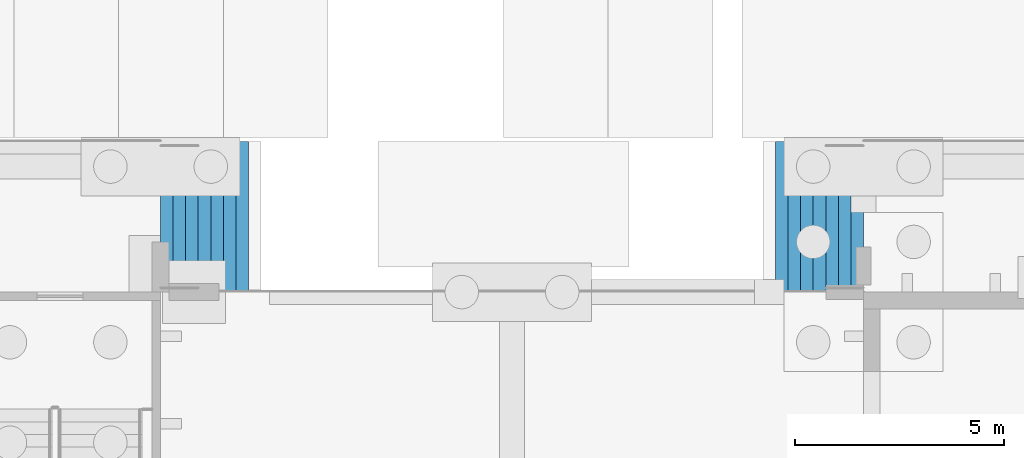
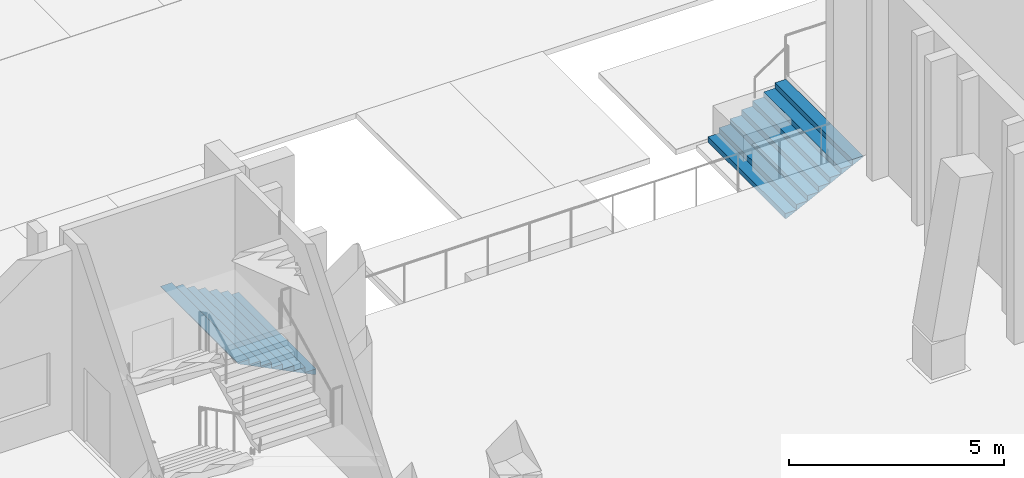
# One storey, part 94 of 129: 2 stair flights, 2 elements without a shape of their own.
"""IFC4 building model written with IfcOpenShell, lengths in metres."""

from ifc_helpers import new_model, si_unit, direction, frame, origin, place, context, subcontext, project, spatial, faceted_brep, material, type_object, element, aggregate, save


model = new_model("IFC4")

# Units and contexts
model_context = context("Model", 3, precision=1e-05, world=origin(), true_north=direction((0.0, 1.0)))
body_context = subcontext(model_context, "Body", "Model", "MODEL_VIEW")
ifc_project = project(units=[si_unit("LENGTHUNIT", "METRE"), si_unit("AREAUNIT", "SQUARE_METRE"), si_unit("VOLUMEUNIT", "CUBIC_METRE"), si_unit("PLANEANGLEUNIT", "RADIAN"), si_unit("MASSUNIT", "GRAM", prefix="KILO")], contexts=[model_context])

# Site, building, storey
site_placement = place(None, origin())
site = spatial("IfcSite", under=ifc_project, at=site_placement, CompositionType="ELEMENT")
building_placement = place(site_placement, origin())
building = spatial("IfcBuilding", under=site, at=building_placement, Name="Kiln Court Media Centre", CompositionType="ELEMENT")
storey_placement = place(building_placement, origin())
storey = spatial("IfcBuildingStorey", under=building, at=storey_placement, Name="L00", CompositionType="ELEMENT", Elevation=0.0)

# Stair, stair flight
ifc_material_1 = material(Name="Concrete C30/37", Category="concrete")
stair_type = type_object("IfcStairType", Name="Concrete C30/37 rear court steps 3600", PredefinedType="STRAIGHT_RUN_STAIR", material=ifc_material_1)
stair_1_placement = place(storey_placement, origin())
stair_1 = element("IfcStair", 1, at=stair_1_placement, inside=storey, type_object=stair_type, Name="Concrete C30/37 rear court steps 3600", PredefinedType="STRAIGHT_RUN_STAIR")
ifc_material_2 = material(Name="Concrete C30/37", Category="concrete")
stair_flight_type = type_object("IfcStairFlightType", Name="Concrete C30/37 rear court steps 3600 flight", PredefinedType="STRAIGHT", material=ifc_material_2)
stair_flight_1_placement = place(storey_placement, frame((102.89990234375, 69.0, -1.199951171875), z_axis=(0.0, 0.0, 1.0), x_axis=(-1.0, 0.0, 0.0)))
stair_flight_1 = element("IfcStairFlight", 2, at=stair_flight_1_placement, type_object=stair_flight_type, Name="ST-E2 flight 1", NumberOfRisers=8, NumberOfTreads=7, PredefinedType="STRAIGHT", RiserHeight=0.15, TreadLength=0.3, context=body_context, shape_type="Brep", body=[
    faceted_brep([(0.044677734375, -1.800048828125, 0.0), (2.10009765625, -1.800048828125, 1.027587890625), (2.10009765625, -1.800048828125, 1.050048828125), (1.800048828125, -1.800048828125, 1.050048828125), (1.800048828125, -1.800048828125, 0.89990234375), (1.5, -1.800048828125, 0.89990234375), (1.5, -1.800048828125, 0.75), (1.199951171875, -1.800048828125, 0.75), (1.199951171875, -1.800048828125, 0.60009765625), (0.89990234375, -1.800048828125, 0.60009765625), (0.89990234375, -1.800048828125, 0.449951171875), (0.60009765625, -1.800048828125, 0.449951171875), (0.60009765625, -1.800048828125, 0.300048828125), (0.300048828125, -1.800048828125, 0.300048828125), (0.300048828125, -1.800048828125, 0.14990234375), (0.0, -1.800048828125, 0.14990234375), (0.0, -1.800048828125, 0.0), (0.0, 1.800048828125, 0.0), (0.0, 1.800048828125, 0.14990234375), (0.300048828125, 1.800048828125, 0.14990234375), (0.300048828125, 1.800048828125, 0.300048828125), (0.60009765625, 1.800048828125, 0.300048828125), (0.60009765625, 1.800048828125, 0.449951171875), (0.89990234375, 1.800048828125, 0.449951171875), (0.89990234375, 1.800048828125, 0.60009765625), (1.199951171875, 1.800048828125, 0.60009765625), (1.199951171875, 1.800048828125, 0.75), (1.5, 1.800048828125, 0.75), (1.5, 1.800048828125, 0.89990234375), (1.800048828125, 1.800048828125, 0.89990234375), (1.800048828125, 1.800048828125, 1.050048828125), (2.10009765625, 1.800048828125, 1.050048828125), (2.10009765625, 1.800048828125, 1.027587890625), (0.044677734375, 1.800048828125, 0.0), (2.10009765625, 0.10009765625, 1.027587890625), (0.044677734375, 0.10009765625, 0.0), (2.10009765625, 0.080078125, 1.027587890625), (0.044677734375, 0.080078125, 0.0), (2.10009765625, 0.06005859375, 1.027587890625), (0.044677734375, 0.06005859375, 0.0), (2.10009765625, 0.0400390625, 1.027587890625), (0.044677734375, 0.0400390625, 0.0), (2.10009765625, 0.02001953125, 1.027587890625), (0.044677734375, 0.02001953125, 0.0), (2.10009765625, 0.0, 1.027587890625), (0.044677734375, 0.0, 0.0), (2.10009765625, -0.02001953125, 1.027587890625), (0.044677734375, -0.02001953125, 0.0), (2.10009765625, -0.0400390625, 1.027587890625), (0.044677734375, -0.0400390625, 0.0), (2.10009765625, -0.06005859375, 1.027587890625), (0.044677734375, -0.06005859375, 0.0), (2.10009765625, -0.080078125, 1.027587890625), (0.044677734375, -0.080078125, 0.0), (2.10009765625, -0.10009765625, 1.027587890625), (0.044677734375, -0.10009765625, 0.0), (2.10009765625, 0.10009765625, 1.050048828125), (2.10009765625, 0.080078125, 1.050048828125), (2.10009765625, 0.06005859375, 1.050048828125), (2.10009765625, 0.0400390625, 1.050048828125), (2.10009765625, 0.02001953125, 1.050048828125), (2.10009765625, 0.0, 1.050048828125), (2.10009765625, -0.02001953125, 1.050048828125), (2.10009765625, -0.0400390625, 1.050048828125), (2.10009765625, -0.06005859375, 1.050048828125), (2.10009765625, -0.080078125, 1.050048828125), (2.10009765625, -0.10009765625, 1.050048828125), (1.800048828125, 0.10009765625, 1.050048828125), (1.800048828125, 0.080078125, 1.050048828125), (1.800048828125, 0.06005859375, 1.050048828125), (1.800048828125, 0.0400390625, 1.050048828125), (1.800048828125, 0.02001953125, 1.050048828125), (1.800048828125, 0.0, 1.050048828125), (1.800048828125, -0.02001953125, 1.050048828125), (1.800048828125, -0.0400390625, 1.050048828125), (1.800048828125, -0.06005859375, 1.050048828125), (1.800048828125, -0.080078125, 1.050048828125), (1.800048828125, -0.10009765625, 1.050048828125), (1.800048828125, 0.10009765625, 0.89990234375), (1.800048828125, 0.080078125, 0.89990234375), (1.800048828125, 0.06005859375, 0.89990234375), (1.800048828125, 0.0400390625, 0.89990234375), (1.800048828125, 0.02001953125, 0.89990234375), (1.800048828125, 0.0, 0.89990234375), (1.800048828125, -0.02001953125, 0.89990234375), (1.800048828125, -0.0400390625, 0.89990234375), (1.800048828125, -0.06005859375, 0.89990234375), (1.800048828125, -0.080078125, 0.89990234375), (1.800048828125, -0.10009765625, 0.89990234375), (1.5, 0.10009765625, 0.89990234375), (1.5, 0.080078125, 0.89990234375), (1.5, 0.06005859375, 0.89990234375), (1.5, 0.0400390625, 0.89990234375), (1.5, 0.02001953125, 0.89990234375), (1.5, 0.0, 0.89990234375), (1.5, -0.02001953125, 0.89990234375), (1.5, -0.0400390625, 0.89990234375), (1.5, -0.06005859375, 0.89990234375), (1.5, -0.080078125, 0.89990234375), (1.5, -0.10009765625, 0.89990234375), (1.5, 0.10009765625, 0.75), (1.5, 0.080078125, 0.75), (1.5, 0.06005859375, 0.75), (1.5, 0.0400390625, 0.75), (1.5, 0.02001953125, 0.75), (1.5, 0.0, 0.75), (1.5, -0.02001953125, 0.75), (1.5, -0.0400390625, 0.75), (1.5, -0.06005859375, 0.75), (1.5, -0.080078125, 0.75), (1.5, -0.10009765625, 0.75), (1.199951171875, 0.10009765625, 0.75), (1.199951171875, 0.080078125, 0.75), (1.199951171875, 0.06005859375, 0.75), (1.199951171875, 0.0400390625, 0.75), (1.199951171875, 0.02001953125, 0.75), (1.199951171875, 0.0, 0.75), (1.199951171875, -0.02001953125, 0.75), (1.199951171875, -0.0400390625, 0.75), (1.199951171875, -0.06005859375, 0.75), (1.199951171875, -0.080078125, 0.75), (1.199951171875, -0.10009765625, 0.75), (1.199951171875, 0.10009765625, 0.60009765625), (1.199951171875, 0.080078125, 0.60009765625), (1.199951171875, 0.06005859375, 0.60009765625), (1.199951171875, 0.0400390625, 0.60009765625), (1.199951171875, 0.02001953125, 0.60009765625), (1.199951171875, 0.0, 0.60009765625), (1.199951171875, -0.02001953125, 0.60009765625), (1.199951171875, -0.0400390625, 0.60009765625), (1.199951171875, -0.06005859375, 0.60009765625), (1.199951171875, -0.080078125, 0.60009765625), (1.199951171875, -0.10009765625, 0.60009765625), (0.89990234375, 0.10009765625, 0.60009765625), (0.89990234375, 0.080078125, 0.60009765625), (0.89990234375, 0.06005859375, 0.60009765625), (0.89990234375, 0.0400390625, 0.60009765625), (0.89990234375, 0.02001953125, 0.60009765625), (0.89990234375, 0.0, 0.60009765625), (0.89990234375, -0.02001953125, 0.60009765625), (0.89990234375, -0.0400390625, 0.60009765625), (0.89990234375, -0.06005859375, 0.60009765625), (0.89990234375, -0.080078125, 0.60009765625), (0.89990234375, -0.10009765625, 0.60009765625), (0.89990234375, 0.10009765625, 0.449951171875), (0.89990234375, 0.080078125, 0.449951171875), (0.89990234375, 0.06005859375, 0.449951171875), (0.89990234375, 0.0400390625, 0.449951171875), (0.89990234375, 0.02001953125, 0.449951171875), (0.89990234375, 0.0, 0.449951171875), (0.89990234375, -0.02001953125, 0.449951171875), (0.89990234375, -0.0400390625, 0.449951171875), (0.89990234375, -0.06005859375, 0.449951171875), (0.89990234375, -0.080078125, 0.449951171875), (0.89990234375, -0.10009765625, 0.449951171875), (0.60009765625, 0.10009765625, 0.449951171875), (0.60009765625, 0.080078125, 0.449951171875), (0.60009765625, 0.06005859375, 0.449951171875), (0.60009765625, 0.0400390625, 0.449951171875), (0.60009765625, 0.02001953125, 0.449951171875), (0.60009765625, 0.0, 0.449951171875), (0.60009765625, -0.02001953125, 0.449951171875), (0.60009765625, -0.0400390625, 0.449951171875), (0.60009765625, -0.06005859375, 0.449951171875), (0.60009765625, -0.080078125, 0.449951171875), (0.60009765625, -0.10009765625, 0.449951171875), (0.60009765625, 0.10009765625, 0.300048828125), (0.60009765625, 0.080078125, 0.300048828125), (0.60009765625, 0.06005859375, 0.300048828125), (0.60009765625, 0.0400390625, 0.300048828125), (0.60009765625, 0.02001953125, 0.300048828125), (0.60009765625, 0.0, 0.300048828125), (0.60009765625, -0.02001953125, 0.300048828125), (0.60009765625, -0.0400390625, 0.300048828125), (0.60009765625, -0.06005859375, 0.300048828125), (0.60009765625, -0.080078125, 0.300048828125), (0.60009765625, -0.10009765625, 0.300048828125), (0.300048828125, 0.10009765625, 0.300048828125), (0.300048828125, 0.080078125, 0.300048828125), (0.300048828125, 0.06005859375, 0.300048828125), (0.300048828125, 0.0400390625, 0.300048828125), (0.300048828125, 0.02001953125, 0.300048828125), (0.300048828125, 0.0, 0.300048828125), (0.300048828125, -0.02001953125, 0.300048828125), (0.300048828125, -0.0400390625, 0.300048828125), (0.300048828125, -0.06005859375, 0.300048828125), (0.300048828125, -0.080078125, 0.300048828125), (0.300048828125, -0.10009765625, 0.300048828125), (0.300048828125, 0.10009765625, 0.14990234375), (0.300048828125, 0.080078125, 0.14990234375), (0.300048828125, 0.06005859375, 0.14990234375), (0.300048828125, 0.0400390625, 0.14990234375), (0.300048828125, 0.02001953125, 0.14990234375), (0.300048828125, 0.0, 0.14990234375), (0.300048828125, -0.02001953125, 0.14990234375), (0.300048828125, -0.0400390625, 0.14990234375), (0.300048828125, -0.06005859375, 0.14990234375), (0.300048828125, -0.080078125, 0.14990234375), (0.300048828125, -0.10009765625, 0.14990234375), (0.0, 0.10009765625, 0.14990234375), (0.0, 0.080078125, 0.14990234375), (0.0, 0.06005859375, 0.14990234375), (0.0, 0.0400390625, 0.14990234375), (0.0, 0.02001953125, 0.14990234375), (0.0, 0.0, 0.14990234375), (0.0, -0.02001953125, 0.14990234375), (0.0, -0.0400390625, 0.14990234375), (0.0, -0.06005859375, 0.14990234375), (0.0, -0.080078125, 0.14990234375), (0.0, -0.10009765625, 0.14990234375), (0.0, 0.10009765625, 0.0), (0.0, 0.080078125, 0.0), (0.0, 0.06005859375, 0.0), (0.0, 0.0400390625, 0.0), (0.0, 0.02001953125, 0.0), (0.0, 0.0, 0.0), (0.0, -0.02001953125, 0.0), (0.0, -0.0400390625, 0.0), (0.0, -0.06005859375, 0.0), (0.0, -0.080078125, 0.0), (0.0, -0.10009765625, 0.0)], [[[0, 1, 2, 3, 4, 5, 6, 7, 8, 9, 10, 11, 12, 13, 14, 15, 16]], [[17, 18, 19, 20, 21, 22, 23, 24, 25, 26, 27, 28, 29, 30, 31, 32, 33]], [[33, 32, 34, 35]], [[35, 34, 36, 37]], [[37, 36, 38, 39]], [[39, 38, 40, 41]], [[41, 40, 42, 43]], [[43, 42, 44, 45]], [[45, 44, 46, 47]], [[47, 46, 48, 49]], [[49, 48, 50, 51]], [[51, 50, 52, 53]], [[53, 52, 54, 55]], [[55, 54, 1, 0]], [[32, 31, 56, 34]], [[34, 56, 57, 36]], [[36, 57, 58, 38]], [[38, 58, 59, 40]], [[40, 59, 60, 42]], [[42, 60, 61, 44]], [[44, 61, 62, 46]], [[46, 62, 63, 48]], [[48, 63, 64, 50]], [[50, 64, 65, 52]], [[52, 65, 66, 54]], [[54, 66, 2, 1]], [[31, 30, 67, 56]], [[56, 67, 68, 57]], [[57, 68, 69, 58]], [[58, 69, 70, 59]], [[59, 70, 71, 60]], [[60, 71, 72, 61]], [[61, 72, 73, 62]], [[62, 73, 74, 63]], [[63, 74, 75, 64]], [[64, 75, 76, 65]], [[65, 76, 77, 66]], [[66, 77, 3, 2]], [[30, 29, 78, 67]], [[67, 78, 79, 68]], [[68, 79, 80, 69]], [[69, 80, 81, 70]], [[70, 81, 82, 71]], [[71, 82, 83, 72]], [[72, 83, 84, 73]], [[73, 84, 85, 74]], [[74, 85, 86, 75]], [[75, 86, 87, 76]], [[76, 87, 88, 77]], [[77, 88, 4, 3]], [[29, 28, 89, 78]], [[78, 89, 90, 79]], [[79, 90, 91, 80]], [[80, 91, 92, 81]], [[81, 92, 93, 82]], [[82, 93, 94, 83]], [[83, 94, 95, 84]], [[84, 95, 96, 85]], [[85, 96, 97, 86]], [[86, 97, 98, 87]], [[87, 98, 99, 88]], [[88, 99, 5, 4]], [[28, 27, 100, 89]], [[89, 100, 101, 90]], [[90, 101, 102, 91]], [[91, 102, 103, 92]], [[92, 103, 104, 93]], [[93, 104, 105, 94]], [[94, 105, 106, 95]], [[95, 106, 107, 96]], [[96, 107, 108, 97]], [[97, 108, 109, 98]], [[98, 109, 110, 99]], [[99, 110, 6, 5]], [[27, 26, 111, 100]], [[100, 111, 112, 101]], [[101, 112, 113, 102]], [[102, 113, 114, 103]], [[103, 114, 115, 104]], [[104, 115, 116, 105]], [[105, 116, 117, 106]], [[106, 117, 118, 107]], [[107, 118, 119, 108]], [[108, 119, 120, 109]], [[109, 120, 121, 110]], [[110, 121, 7, 6]], [[26, 25, 122, 111]], [[111, 122, 123, 112]], [[112, 123, 124, 113]], [[113, 124, 125, 114]], [[114, 125, 126, 115]], [[115, 126, 127, 116]], [[116, 127, 128, 117]], [[117, 128, 129, 118]], [[118, 129, 130, 119]], [[119, 130, 131, 120]], [[120, 131, 132, 121]], [[121, 132, 8, 7]], [[25, 24, 133, 122]], [[122, 133, 134, 123]], [[123, 134, 135, 124]], [[124, 135, 136, 125]], [[125, 136, 137, 126]], [[126, 137, 138, 127]], [[127, 138, 139, 128]], [[128, 139, 140, 129]], [[129, 140, 141, 130]], [[130, 141, 142, 131]], [[131, 142, 143, 132]], [[132, 143, 9, 8]], [[24, 23, 144, 133]], [[133, 144, 145, 134]], [[134, 145, 146, 135]], [[135, 146, 147, 136]], [[136, 147, 148, 137]], [[137, 148, 149, 138]], [[138, 149, 150, 139]], [[139, 150, 151, 140]], [[140, 151, 152, 141]], [[141, 152, 153, 142]], [[142, 153, 154, 143]], [[143, 154, 10, 9]], [[23, 22, 155, 144]], [[144, 155, 156, 145]], [[145, 156, 157, 146]], [[146, 157, 158, 147]], [[147, 158, 159, 148]], [[148, 159, 160, 149]], [[149, 160, 161, 150]], [[150, 161, 162, 151]], [[151, 162, 163, 152]], [[152, 163, 164, 153]], [[153, 164, 165, 154]], [[154, 165, 11, 10]], [[22, 21, 166, 155]], [[155, 166, 167, 156]], [[156, 167, 168, 157]], [[157, 168, 169, 158]], [[158, 169, 170, 159]], [[159, 170, 171, 160]], [[160, 171, 172, 161]], [[161, 172, 173, 162]], [[162, 173, 174, 163]], [[163, 174, 175, 164]], [[164, 175, 176, 165]], [[165, 176, 12, 11]], [[21, 20, 177, 166]], [[166, 177, 178, 167]], [[167, 178, 179, 168]], [[168, 179, 180, 169]], [[169, 180, 181, 170]], [[170, 181, 182, 171]], [[171, 182, 183, 172]], [[172, 183, 184, 173]], [[173, 184, 185, 174]], [[174, 185, 186, 175]], [[175, 186, 187, 176]], [[176, 187, 13, 12]], [[20, 19, 188, 177]], [[177, 188, 189, 178]], [[178, 189, 190, 179]], [[179, 190, 191, 180]], [[180, 191, 192, 181]], [[181, 192, 193, 182]], [[182, 193, 194, 183]], [[183, 194, 195, 184]], [[184, 195, 196, 185]], [[185, 196, 197, 186]], [[186, 197, 198, 187]], [[187, 198, 14, 13]], [[19, 18, 199, 188]], [[188, 199, 200, 189]], [[189, 200, 201, 190]], [[190, 201, 202, 191]], [[191, 202, 203, 192]], [[192, 203, 204, 193]], [[193, 204, 205, 194]], [[194, 205, 206, 195]], [[195, 206, 207, 196]], [[196, 207, 208, 197]], [[197, 208, 209, 198]], [[198, 209, 15, 14]], [[18, 17, 210, 199]], [[199, 210, 211, 200]], [[200, 211, 212, 201]], [[201, 212, 213, 202]], [[202, 213, 214, 203]], [[203, 214, 215, 204]], [[204, 215, 216, 205]], [[205, 216, 217, 206]], [[206, 217, 218, 207]], [[207, 218, 219, 208]], [[208, 219, 220, 209]], [[209, 220, 16, 15]], [[17, 33, 35, 210]], [[210, 35, 37, 211]], [[211, 37, 39, 212]], [[212, 39, 41, 213]], [[213, 41, 43, 214]], [[214, 43, 45, 215]], [[215, 45, 47, 216]], [[216, 47, 49, 217]], [[217, 49, 51, 218]], [[218, 51, 53, 219]], [[219, 53, 55, 220]], [[220, 55, 0, 16]]]),
])
aggregate(stair_1, [stair_flight_1])

stair_2_placement = place(storey_placement, origin())
stair_2 = element("IfcStair", 3, at=stair_2_placement, inside=storey, type_object=stair_type, Name="Concrete C30/37 rear court steps 3600", PredefinedType="STRAIGHT_RUN_STAIR")
stair_flight_2_placement = place(storey_placement, frame((115.5, 69.0, -1.199951171875), z_axis=(0.0, 0.0, 1.0), x_axis=(1.0, 0.0, 0.0)))
stair_flight_2 = element("IfcStairFlight", 4, at=stair_flight_2_placement, type_object=stair_flight_type, Name="ST-E2 flight 1", NumberOfRisers=8, NumberOfTreads=7, PredefinedType="STRAIGHT", RiserHeight=0.15, TreadLength=0.3, context=body_context, shape_type="Brep", body=[
    faceted_brep([(0.044677734375, -1.800048828125, 0.0), (2.10009765625, -1.800048828125, 1.027587890625), (2.10009765625, -1.800048828125, 1.050048828125), (1.800048828125, -1.800048828125, 1.050048828125), (1.800048828125, -1.800048828125, 0.89990234375), (1.5, -1.800048828125, 0.89990234375), (1.5, -1.800048828125, 0.75), (1.199951171875, -1.800048828125, 0.75), (1.199951171875, -1.800048828125, 0.60009765625), (0.89990234375, -1.800048828125, 0.60009765625), (0.89990234375, -1.800048828125, 0.449951171875), (0.60009765625, -1.800048828125, 0.449951171875), (0.60009765625, -1.800048828125, 0.300048828125), (0.300048828125, -1.800048828125, 0.300048828125), (0.300048828125, -1.800048828125, 0.14990234375), (0.0, -1.800048828125, 0.14990234375), (0.0, -1.800048828125, 0.0), (0.0, 1.800048828125, 0.0), (0.0, 1.800048828125, 0.14990234375), (0.300048828125, 1.800048828125, 0.14990234375), (0.300048828125, 1.800048828125, 0.300048828125), (0.60009765625, 1.800048828125, 0.300048828125), (0.60009765625, 1.800048828125, 0.449951171875), (0.89990234375, 1.800048828125, 0.449951171875), (0.89990234375, 1.800048828125, 0.60009765625), (1.199951171875, 1.800048828125, 0.60009765625), (1.199951171875, 1.800048828125, 0.75), (1.5, 1.800048828125, 0.75), (1.5, 1.800048828125, 0.89990234375), (1.800048828125, 1.800048828125, 0.89990234375), (1.800048828125, 1.800048828125, 1.050048828125), (2.10009765625, 1.800048828125, 1.050048828125), (2.10009765625, 1.800048828125, 1.027587890625), (0.044677734375, 1.800048828125, 0.0), (2.10009765625, 0.10009765625, 1.027587890625), (0.044677734375, 0.10009765625, 0.0), (2.10009765625, 0.080078125, 1.027587890625), (0.044677734375, 0.080078125, 0.0), (2.10009765625, 0.06005859375, 1.027587890625), (0.044677734375, 0.06005859375, 0.0), (2.10009765625, 0.0400390625, 1.027587890625), (0.044677734375, 0.0400390625, 0.0), (2.10009765625, 0.02001953125, 1.027587890625), (0.044677734375, 0.02001953125, 0.0), (2.10009765625, 0.0, 1.027587890625), (0.044677734375, 0.0, 0.0), (2.10009765625, -0.02001953125, 1.027587890625), (0.044677734375, -0.02001953125, 0.0), (2.10009765625, -0.0400390625, 1.027587890625), (0.044677734375, -0.0400390625, 0.0), (2.10009765625, -0.06005859375, 1.027587890625), (0.044677734375, -0.06005859375, 0.0), (2.10009765625, -0.080078125, 1.027587890625), (0.044677734375, -0.080078125, 0.0), (2.10009765625, -0.10009765625, 1.027587890625), (0.044677734375, -0.10009765625, 0.0), (2.10009765625, 0.10009765625, 1.050048828125), (2.10009765625, 0.080078125, 1.050048828125), (2.10009765625, 0.06005859375, 1.050048828125), (2.10009765625, 0.0400390625, 1.050048828125), (2.10009765625, 0.02001953125, 1.050048828125), (2.10009765625, 0.0, 1.050048828125), (2.10009765625, -0.02001953125, 1.050048828125), (2.10009765625, -0.0400390625, 1.050048828125), (2.10009765625, -0.06005859375, 1.050048828125), (2.10009765625, -0.080078125, 1.050048828125), (2.10009765625, -0.10009765625, 1.050048828125), (1.800048828125, 0.10009765625, 1.050048828125), (1.800048828125, 0.080078125, 1.050048828125), (1.800048828125, 0.06005859375, 1.050048828125), (1.800048828125, 0.0400390625, 1.050048828125), (1.800048828125, 0.02001953125, 1.050048828125), (1.800048828125, 0.0, 1.050048828125), (1.800048828125, -0.02001953125, 1.050048828125), (1.800048828125, -0.0400390625, 1.050048828125), (1.800048828125, -0.06005859375, 1.050048828125), (1.800048828125, -0.080078125, 1.050048828125), (1.800048828125, -0.10009765625, 1.050048828125), (1.800048828125, 0.10009765625, 0.89990234375), (1.800048828125, 0.080078125, 0.89990234375), (1.800048828125, 0.06005859375, 0.89990234375), (1.800048828125, 0.0400390625, 0.89990234375), (1.800048828125, 0.02001953125, 0.89990234375), (1.800048828125, 0.0, 0.89990234375), (1.800048828125, -0.02001953125, 0.89990234375), (1.800048828125, -0.0400390625, 0.89990234375), (1.800048828125, -0.06005859375, 0.89990234375), (1.800048828125, -0.080078125, 0.89990234375), (1.800048828125, -0.10009765625, 0.89990234375), (1.5, 0.10009765625, 0.89990234375), (1.5, 0.080078125, 0.89990234375), (1.5, 0.06005859375, 0.89990234375), (1.5, 0.0400390625, 0.89990234375), (1.5, 0.02001953125, 0.89990234375), (1.5, 0.0, 0.89990234375), (1.5, -0.02001953125, 0.89990234375), (1.5, -0.0400390625, 0.89990234375), (1.5, -0.06005859375, 0.89990234375), (1.5, -0.080078125, 0.89990234375), (1.5, -0.10009765625, 0.89990234375), (1.5, 0.10009765625, 0.75), (1.5, 0.080078125, 0.75), (1.5, 0.06005859375, 0.75), (1.5, 0.0400390625, 0.75), (1.5, 0.02001953125, 0.75), (1.5, 0.0, 0.75), (1.5, -0.02001953125, 0.75), (1.5, -0.0400390625, 0.75), (1.5, -0.06005859375, 0.75), (1.5, -0.080078125, 0.75), (1.5, -0.10009765625, 0.75), (1.199951171875, 0.10009765625, 0.75), (1.199951171875, 0.080078125, 0.75), (1.199951171875, 0.06005859375, 0.75), (1.199951171875, 0.0400390625, 0.75), (1.199951171875, 0.02001953125, 0.75), (1.199951171875, 0.0, 0.75), (1.199951171875, -0.02001953125, 0.75), (1.199951171875, -0.0400390625, 0.75), (1.199951171875, -0.06005859375, 0.75), (1.199951171875, -0.080078125, 0.75), (1.199951171875, -0.10009765625, 0.75), (1.199951171875, 0.10009765625, 0.60009765625), (1.199951171875, 0.080078125, 0.60009765625), (1.199951171875, 0.06005859375, 0.60009765625), (1.199951171875, 0.0400390625, 0.60009765625), (1.199951171875, 0.02001953125, 0.60009765625), (1.199951171875, 0.0, 0.60009765625), (1.199951171875, -0.02001953125, 0.60009765625), (1.199951171875, -0.0400390625, 0.60009765625), (1.199951171875, -0.06005859375, 0.60009765625), (1.199951171875, -0.080078125, 0.60009765625), (1.199951171875, -0.10009765625, 0.60009765625), (0.89990234375, 0.10009765625, 0.60009765625), (0.89990234375, 0.080078125, 0.60009765625), (0.89990234375, 0.06005859375, 0.60009765625), (0.89990234375, 0.0400390625, 0.60009765625), (0.89990234375, 0.02001953125, 0.60009765625), (0.89990234375, 0.0, 0.60009765625), (0.89990234375, -0.02001953125, 0.60009765625), (0.89990234375, -0.0400390625, 0.60009765625), (0.89990234375, -0.06005859375, 0.60009765625), (0.89990234375, -0.080078125, 0.60009765625), (0.89990234375, -0.10009765625, 0.60009765625), (0.89990234375, 0.10009765625, 0.449951171875), (0.89990234375, 0.080078125, 0.449951171875), (0.89990234375, 0.06005859375, 0.449951171875), (0.89990234375, 0.0400390625, 0.449951171875), (0.89990234375, 0.02001953125, 0.449951171875), (0.89990234375, 0.0, 0.449951171875), (0.89990234375, -0.02001953125, 0.449951171875), (0.89990234375, -0.0400390625, 0.449951171875), (0.89990234375, -0.06005859375, 0.449951171875), (0.89990234375, -0.080078125, 0.449951171875), (0.89990234375, -0.10009765625, 0.449951171875), (0.60009765625, 0.10009765625, 0.449951171875), (0.60009765625, 0.080078125, 0.449951171875), (0.60009765625, 0.06005859375, 0.449951171875), (0.60009765625, 0.0400390625, 0.449951171875), (0.60009765625, 0.02001953125, 0.449951171875), (0.60009765625, 0.0, 0.449951171875), (0.60009765625, -0.02001953125, 0.449951171875), (0.60009765625, -0.0400390625, 0.449951171875), (0.60009765625, -0.06005859375, 0.449951171875), (0.60009765625, -0.080078125, 0.449951171875), (0.60009765625, -0.10009765625, 0.449951171875), (0.60009765625, 0.10009765625, 0.300048828125), (0.60009765625, 0.080078125, 0.300048828125), (0.60009765625, 0.06005859375, 0.300048828125), (0.60009765625, 0.0400390625, 0.300048828125), (0.60009765625, 0.02001953125, 0.300048828125), (0.60009765625, 0.0, 0.300048828125), (0.60009765625, -0.02001953125, 0.300048828125), (0.60009765625, -0.0400390625, 0.300048828125), (0.60009765625, -0.06005859375, 0.300048828125), (0.60009765625, -0.080078125, 0.300048828125), (0.60009765625, -0.10009765625, 0.300048828125), (0.300048828125, 0.10009765625, 0.300048828125), (0.300048828125, 0.080078125, 0.300048828125), (0.300048828125, 0.06005859375, 0.300048828125), (0.300048828125, 0.0400390625, 0.300048828125), (0.300048828125, 0.02001953125, 0.300048828125), (0.300048828125, 0.0, 0.300048828125), (0.300048828125, -0.02001953125, 0.300048828125), (0.300048828125, -0.0400390625, 0.300048828125), (0.300048828125, -0.06005859375, 0.300048828125), (0.300048828125, -0.080078125, 0.300048828125), (0.300048828125, -0.10009765625, 0.300048828125), (0.300048828125, 0.10009765625, 0.14990234375), (0.300048828125, 0.080078125, 0.14990234375), (0.300048828125, 0.06005859375, 0.14990234375), (0.300048828125, 0.0400390625, 0.14990234375), (0.300048828125, 0.02001953125, 0.14990234375), (0.300048828125, 0.0, 0.14990234375), (0.300048828125, -0.02001953125, 0.14990234375), (0.300048828125, -0.0400390625, 0.14990234375), (0.300048828125, -0.06005859375, 0.14990234375), (0.300048828125, -0.080078125, 0.14990234375), (0.300048828125, -0.10009765625, 0.14990234375), (0.0, 0.10009765625, 0.14990234375), (0.0, 0.080078125, 0.14990234375), (0.0, 0.06005859375, 0.14990234375), (0.0, 0.0400390625, 0.14990234375), (0.0, 0.02001953125, 0.14990234375), (0.0, 0.0, 0.14990234375), (0.0, -0.02001953125, 0.14990234375), (0.0, -0.0400390625, 0.14990234375), (0.0, -0.06005859375, 0.14990234375), (0.0, -0.080078125, 0.14990234375), (0.0, -0.10009765625, 0.14990234375), (0.0, 0.10009765625, 0.0), (0.0, 0.080078125, 0.0), (0.0, 0.06005859375, 0.0), (0.0, 0.0400390625, 0.0), (0.0, 0.02001953125, 0.0), (0.0, 0.0, 0.0), (0.0, -0.02001953125, 0.0), (0.0, -0.0400390625, 0.0), (0.0, -0.06005859375, 0.0), (0.0, -0.080078125, 0.0), (0.0, -0.10009765625, 0.0)], [[[0, 1, 2, 3, 4, 5, 6, 7, 8, 9, 10, 11, 12, 13, 14, 15, 16]], [[17, 18, 19, 20, 21, 22, 23, 24, 25, 26, 27, 28, 29, 30, 31, 32, 33]], [[33, 32, 34, 35]], [[35, 34, 36, 37]], [[37, 36, 38, 39]], [[39, 38, 40, 41]], [[41, 40, 42, 43]], [[43, 42, 44, 45]], [[45, 44, 46, 47]], [[47, 46, 48, 49]], [[49, 48, 50, 51]], [[51, 50, 52, 53]], [[53, 52, 54, 55]], [[55, 54, 1, 0]], [[32, 31, 56, 34]], [[34, 56, 57, 36]], [[36, 57, 58, 38]], [[38, 58, 59, 40]], [[40, 59, 60, 42]], [[42, 60, 61, 44]], [[44, 61, 62, 46]], [[46, 62, 63, 48]], [[48, 63, 64, 50]], [[50, 64, 65, 52]], [[52, 65, 66, 54]], [[54, 66, 2, 1]], [[31, 30, 67, 56]], [[56, 67, 68, 57]], [[57, 68, 69, 58]], [[58, 69, 70, 59]], [[59, 70, 71, 60]], [[60, 71, 72, 61]], [[61, 72, 73, 62]], [[62, 73, 74, 63]], [[63, 74, 75, 64]], [[64, 75, 76, 65]], [[65, 76, 77, 66]], [[66, 77, 3, 2]], [[30, 29, 78, 67]], [[67, 78, 79, 68]], [[68, 79, 80, 69]], [[69, 80, 81, 70]], [[70, 81, 82, 71]], [[71, 82, 83, 72]], [[72, 83, 84, 73]], [[73, 84, 85, 74]], [[74, 85, 86, 75]], [[75, 86, 87, 76]], [[76, 87, 88, 77]], [[77, 88, 4, 3]], [[29, 28, 89, 78]], [[78, 89, 90, 79]], [[79, 90, 91, 80]], [[80, 91, 92, 81]], [[81, 92, 93, 82]], [[82, 93, 94, 83]], [[83, 94, 95, 84]], [[84, 95, 96, 85]], [[85, 96, 97, 86]], [[86, 97, 98, 87]], [[87, 98, 99, 88]], [[88, 99, 5, 4]], [[28, 27, 100, 89]], [[89, 100, 101, 90]], [[90, 101, 102, 91]], [[91, 102, 103, 92]], [[92, 103, 104, 93]], [[93, 104, 105, 94]], [[94, 105, 106, 95]], [[95, 106, 107, 96]], [[96, 107, 108, 97]], [[97, 108, 109, 98]], [[98, 109, 110, 99]], [[99, 110, 6, 5]], [[27, 26, 111, 100]], [[100, 111, 112, 101]], [[101, 112, 113, 102]], [[102, 113, 114, 103]], [[103, 114, 115, 104]], [[104, 115, 116, 105]], [[105, 116, 117, 106]], [[106, 117, 118, 107]], [[107, 118, 119, 108]], [[108, 119, 120, 109]], [[109, 120, 121, 110]], [[110, 121, 7, 6]], [[26, 25, 122, 111]], [[111, 122, 123, 112]], [[112, 123, 124, 113]], [[113, 124, 125, 114]], [[114, 125, 126, 115]], [[115, 126, 127, 116]], [[116, 127, 128, 117]], [[117, 128, 129, 118]], [[118, 129, 130, 119]], [[119, 130, 131, 120]], [[120, 131, 132, 121]], [[121, 132, 8, 7]], [[25, 24, 133, 122]], [[122, 133, 134, 123]], [[123, 134, 135, 124]], [[124, 135, 136, 125]], [[125, 136, 137, 126]], [[126, 137, 138, 127]], [[127, 138, 139, 128]], [[128, 139, 140, 129]], [[129, 140, 141, 130]], [[130, 141, 142, 131]], [[131, 142, 143, 132]], [[132, 143, 9, 8]], [[24, 23, 144, 133]], [[133, 144, 145, 134]], [[134, 145, 146, 135]], [[135, 146, 147, 136]], [[136, 147, 148, 137]], [[137, 148, 149, 138]], [[138, 149, 150, 139]], [[139, 150, 151, 140]], [[140, 151, 152, 141]], [[141, 152, 153, 142]], [[142, 153, 154, 143]], [[143, 154, 10, 9]], [[23, 22, 155, 144]], [[144, 155, 156, 145]], [[145, 156, 157, 146]], [[146, 157, 158, 147]], [[147, 158, 159, 148]], [[148, 159, 160, 149]], [[149, 160, 161, 150]], [[150, 161, 162, 151]], [[151, 162, 163, 152]], [[152, 163, 164, 153]], [[153, 164, 165, 154]], [[154, 165, 11, 10]], [[22, 21, 166, 155]], [[155, 166, 167, 156]], [[156, 167, 168, 157]], [[157, 168, 169, 158]], [[158, 169, 170, 159]], [[159, 170, 171, 160]], [[160, 171, 172, 161]], [[161, 172, 173, 162]], [[162, 173, 174, 163]], [[163, 174, 175, 164]], [[164, 175, 176, 165]], [[165, 176, 12, 11]], [[21, 20, 177, 166]], [[166, 177, 178, 167]], [[167, 178, 179, 168]], [[168, 179, 180, 169]], [[169, 180, 181, 170]], [[170, 181, 182, 171]], [[171, 182, 183, 172]], [[172, 183, 184, 173]], [[173, 184, 185, 174]], [[174, 185, 186, 175]], [[175, 186, 187, 176]], [[176, 187, 13, 12]], [[20, 19, 188, 177]], [[177, 188, 189, 178]], [[178, 189, 190, 179]], [[179, 190, 191, 180]], [[180, 191, 192, 181]], [[181, 192, 193, 182]], [[182, 193, 194, 183]], [[183, 194, 195, 184]], [[184, 195, 196, 185]], [[185, 196, 197, 186]], [[186, 197, 198, 187]], [[187, 198, 14, 13]], [[19, 18, 199, 188]], [[188, 199, 200, 189]], [[189, 200, 201, 190]], [[190, 201, 202, 191]], [[191, 202, 203, 192]], [[192, 203, 204, 193]], [[193, 204, 205, 194]], [[194, 205, 206, 195]], [[195, 206, 207, 196]], [[196, 207, 208, 197]], [[197, 208, 209, 198]], [[198, 209, 15, 14]], [[18, 17, 210, 199]], [[199, 210, 211, 200]], [[200, 211, 212, 201]], [[201, 212, 213, 202]], [[202, 213, 214, 203]], [[203, 214, 215, 204]], [[204, 215, 216, 205]], [[205, 216, 217, 206]], [[206, 217, 218, 207]], [[207, 218, 219, 208]], [[208, 219, 220, 209]], [[209, 220, 16, 15]], [[17, 33, 35, 210]], [[210, 35, 37, 211]], [[211, 37, 39, 212]], [[212, 39, 41, 213]], [[213, 41, 43, 214]], [[214, 43, 45, 215]], [[215, 45, 47, 216]], [[216, 47, 49, 217]], [[217, 49, 51, 218]], [[218, 51, 53, 219]], [[219, 53, 55, 220]], [[220, 55, 0, 16]]]),
])
aggregate(stair_2, [stair_flight_2])

save(model, "model.ifc")
